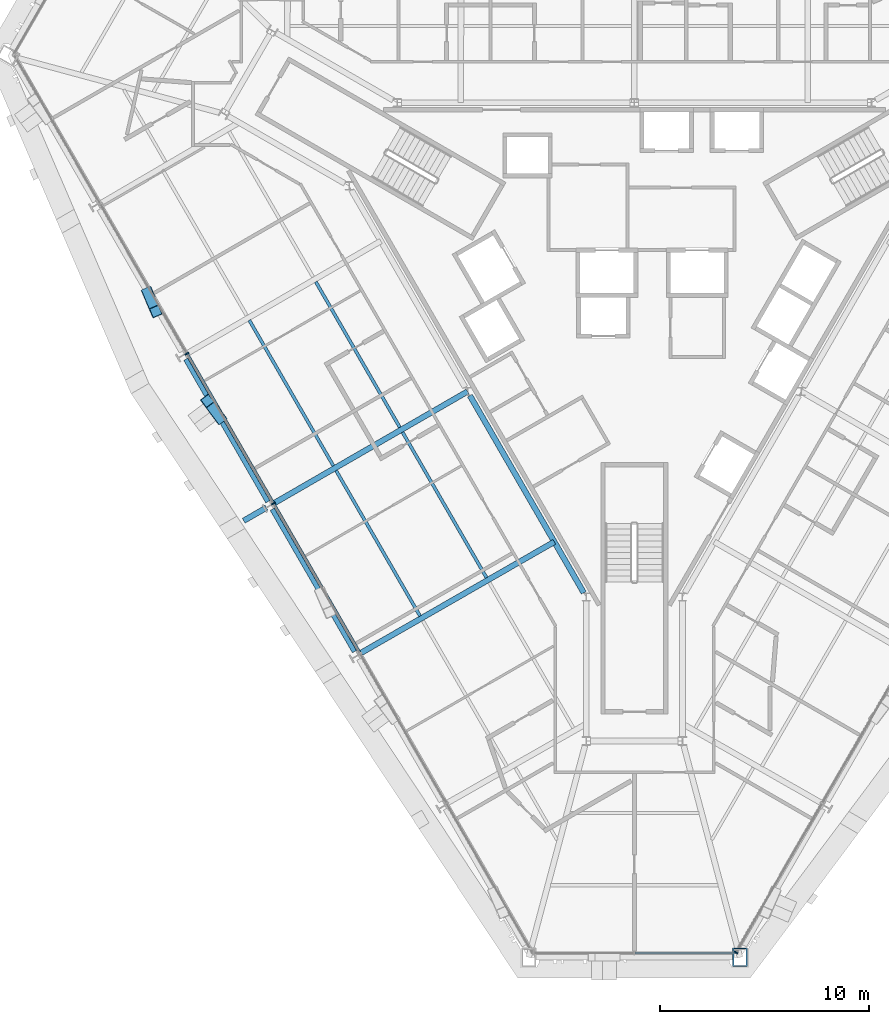
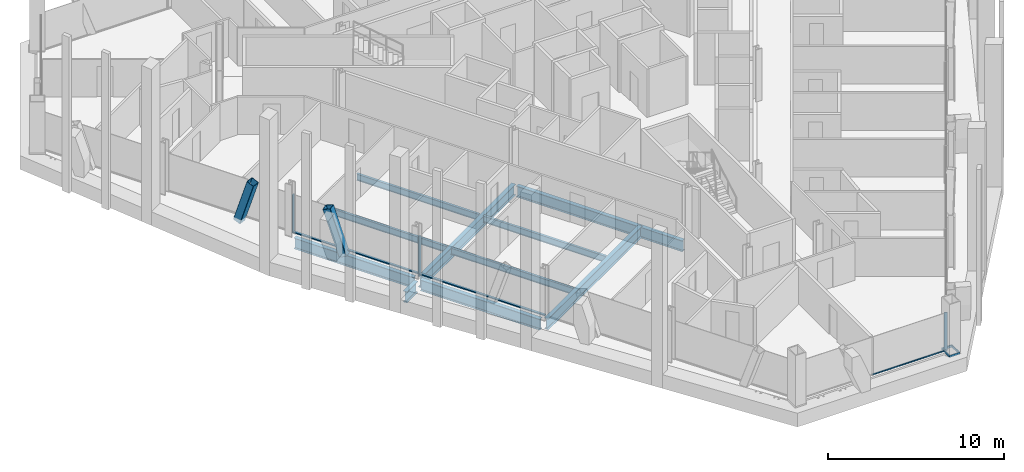
# One storey, part 4 of 17: 10 beams, 9 members, 3 elements without a shape of their own.
"""IFC4 building model written with IfcOpenShell, lengths in metres."""

from ifc_helpers import new_model, si_unit, direction, frame, origin, origin_2d, place, context, subcontext, project, spatial, rectangle, hollow_rectangle, i_section, extrude, material, material_profile, profile_set, type_object, element, aggregate, save


model = new_model("IFC4")

# Units and contexts
model_context = context("Model", 3, precision=1e-05, world=origin(), true_north=direction((0.0, 1.0)))
body_context = subcontext(model_context, "Body", "Model", "MODEL_VIEW")
ifc_project = project(units=[si_unit("LENGTHUNIT", "METRE"), si_unit("AREAUNIT", "SQUARE_METRE"), si_unit("VOLUMEUNIT", "CUBIC_METRE"), si_unit("PLANEANGLEUNIT", "RADIAN"), si_unit("MASSUNIT", "GRAM", prefix="KILO")], contexts=[model_context])

# Site, building, storey
site_placement = place(None, origin())
site = spatial("IfcSite", under=ifc_project, at=site_placement, CompositionType="ELEMENT")
building_placement = place(site_placement, origin())
building = spatial("IfcBuilding", under=site, at=building_placement, Name="Verrane Prism Tower", CompositionType="ELEMENT")
storey_placement = place(building_placement, frame((0.0, 0.0, 132.39990234375)))
storey = spatial("IfcBuildingStorey", under=building, at=storey_placement, Name="L32", CompositionType="ELEMENT", Elevation=132.39990234375)

# Beam
ifc_material_1 = material(Name="Steel A992", Category="steel")
ifc_material_profile_1 = material_profile(ifc_material_1, i_section(OverallWidth=0.2666015625, OverallDepth=0.7568359375, WebThickness=0.013916015625, FlangeThickness=0.019287109375, FilletRadius=0.0166015625, at=origin_2d()), Name="W30x108")
ifc_profile_set_1 = profile_set([ifc_material_profile_1], Name="Steel A992")
beam_type_1 = type_object("IfcBeamType", Name="Core ring girder W30x108", PredefinedType="BEAM", material=ifc_profile_set_1)
beam_1_placement = place(storey_placement, frame((-7.85498046875, -4.79931640625, -0.62841796875), z_axis=(0.500034555306, -0.86600545235, 0.0), x_axis=(0.86600545235, 0.500034555306, 0.0)))
element("IfcBeam", 1, at=beam_1_placement, inside=storey, type_object=beam_type_1, Name="Core ring girder L32", PredefinedType="BEAM", context=body_context, shape_type="SweptSolid", body=[
    extrude(i_section(OverallWidth=0.2666015625, OverallDepth=0.7568359375, WebThickness=0.013916015625, FlangeThickness=0.019287109375, FilletRadius=0.0166015625, at=origin_2d()), origin(), (0.0, 0.0, 1.0), 10.879150390625),
])

# Members
ifc_material_2 = material(Name="Steel A1085 Grade A", Category="steel")
ifc_material_profile_2 = material_profile(ifc_material_2, hollow_rectangle(XDim=0.508056640625, YDim=0.508056640625, WallThickness=0.025390625, InnerFilletRadius=0.0126953125, OuterFilletRadius=0.0380859375, at=origin_2d()), Name="HSS20x20x1")
ifc_profile_set_2 = profile_set([ifc_material_profile_2], Name="Steel A1085 Grade A")
member_type_1 = type_object("IfcMemberType", Name="Facade brace HSS20x20x1", PredefinedType="BRACE", material=ifc_profile_set_2)
member_1_placement = place(storey_placement, frame((-23.24267578125, 0.115478515625, -0.242431640625), z_axis=(0.120122253278, -0.282267982944, 0.951785390764), x_axis=(0.920144983431, 0.391577845986, 0.0)))
element("IfcMember", 2, at=member_1_placement, inside=storey, type_object=member_type_1, Name="Facade brace SW1 L32", PredefinedType="BRACE", context=body_context, shape_type="SweptSolid", body=[
    extrude(hollow_rectangle(XDim=0.508056640625, YDim=0.508056640625, WallThickness=0.025390625, InnerFilletRadius=0.0126953125, OuterFilletRadius=0.0380859375, at=origin_2d()), origin(), (0.0, 0.0, 1.0), 3.160400390625),
])
member_2_placement = place(storey_placement, frame((-19.795654296875, -5.857666015625, -0.242431640625), z_axis=(-0.189853936879, 0.254729035699, 0.948192280618), x_axis=(-0.801798621199, -0.597594319788, 0.0)))
element("IfcMember", 3, at=member_2_placement, inside=storey, type_object=member_type_1, Name="Facade brace SW2 L32", PredefinedType="BRACE", context=body_context, shape_type="SweptSolid", body=[
    extrude(hollow_rectangle(XDim=0.508056640625, YDim=0.508056640625, WallThickness=0.025390625, InnerFilletRadius=0.0126953125, OuterFilletRadius=0.0380859375, at=origin_2d()), origin(), (0.0, 0.0, 1.0), 3.17236328125),
])

# Beams
ifc_material_3 = material(Name="Steel A992", Category="steel")
ifc_material_profile_3 = material_profile(ifc_material_3, i_section(OverallWidth=0.15234375, OverallDepth=0.449462890625, WebThickness=0.007568359375, FlangeThickness=0.0107421875, FilletRadius=0.01025390625, at=origin_2d()), Name="W18x35")
ifc_profile_set_3 = profile_set([ifc_material_profile_3], Name="Steel A992")
beam_type_2 = type_object("IfcBeamType", Name="Floor beam W18x35", PredefinedType="BEAM", material=ifc_profile_set_3)
for number, where, z_axis, x_axis, name in (
    (4, (-11.20458984375, -6.314453125, -0.384765625), (-0.500007577232, 0.866021029023, 0.0), (-0.866021029023, -0.500007577232, 0.0), "Floor beam L32"),
    (5, (-14.380615234375, -8.1494140625, -0.384765625), (-0.500007577232, 0.866021029023, 0.0), (-0.866021029023, -0.500007577232, 0.0), "Floor beam L32"),
):
    element("IfcBeam", number, at=place(storey_placement, frame(where, z_axis=z_axis, x_axis=x_axis)), inside=storey, type_object=beam_type_2, Name=name, PredefinedType="BEAM", context=body_context, shape_type="SweptSolid", body=[
        extrude(i_section(OverallWidth=0.15234375, OverallDepth=0.449462890625, WebThickness=0.007568359375, FlangeThickness=0.0107421875, FilletRadius=0.01025390625, at=origin_2d()), origin(), (0.0, 0.0, 1.0), 8.02978515625),
    ])
beam_2_placement = place(storey_placement, frame((-7.061279296875, -13.498291015625, -0.384765625), z_axis=(-0.499996300355, 0.866027539765, 0.0), x_axis=(-0.866027539765, -0.499996300355, 0.0)))
element("IfcBeam", 6, at=beam_2_placement, inside=storey, type_object=beam_type_2, Name="Floor beam L32", PredefinedType="BEAM", context=body_context, shape_type="SweptSolid", body=[
    extrude(i_section(OverallWidth=0.15234375, OverallDepth=0.449462890625, WebThickness=0.007568359375, FlangeThickness=0.0107421875, FilletRadius=0.01025390625, at=origin_2d()), origin(), (0.0, 0.0, 1.0), 8.02587890625),
])
beam_3_placement = place(storey_placement, frame((-10.235595703125, -15.33251953125, -0.384765625), z_axis=(-0.500005942522, 0.86602197284, 0.0), x_axis=(-0.86602197284, -0.500005942522, 0.0)))
element("IfcBeam", 7, at=beam_3_placement, inside=storey, type_object=beam_type_2, Name="Floor beam L32", PredefinedType="BEAM", context=body_context, shape_type="SweptSolid", body=[
    extrude(i_section(OverallWidth=0.15234375, OverallDepth=0.449462890625, WebThickness=0.007568359375, FlangeThickness=0.0107421875, FilletRadius=0.01025390625, at=origin_2d()), origin(), (0.0, 0.0, 1.0), 8.0263671875),
])

# Member
ifc_material_4 = material(Name="Steel A572 Grade 50", Category="steel")
ifc_material_profile_4 = material_profile(ifc_material_4, hollow_rectangle(XDim=0.699951171875, YDim=0.89990234375, WallThickness=0.06494140625, at=origin_2d()), Name="BOX 900x700x65")
ifc_profile_set_4 = profile_set([ifc_material_profile_4], Name="Steel A572 Grade 50")
member_type_2 = type_object("IfcMemberType", Name="Kink node BOX 900x700x65", PredefinedType="COLLAR", material=ifc_profile_set_4)
member_3_placement = place(storey_placement, frame((5.045654296875, -31.6328125, -0.074951171875), z_axis=(0.0, 0.0, 1.0), x_axis=(-1.0, 0.0, 0.0)))
element("IfcMember", 8, at=member_3_placement, inside=storey, type_object=member_type_2, Name="Kink node MC3 L32", PredefinedType="COLLAR", context=body_context, shape_type="SweptSolid", body=[
    extrude(hollow_rectangle(XDim=0.699951171875, YDim=0.89990234375, WallThickness=0.06494140625, at=origin_2d()), origin(), (0.0, 0.0, 1.0), 0.150146484375),
])

# Curtain wall, members
ifc_material_5 = material(Name="Aluminium framed insulated glazing", Category="aluminium")
curtain_wall_type_1 = type_object("IfcCurtainWallType", Name="Curtain wall CW-A 8400 module", PredefinedType="NOTDEFINED", material=ifc_material_5)
curtain_wall_1_placement = place(storey_placement, origin())
curtain_wall_1 = element("IfcCurtainWall", 9, at=curtain_wall_1_placement, inside=storey, type_object=curtain_wall_type_1, Name="Glazed curtain wall south-west face L32", PredefinedType="NOTDEFINED")
ifc_material_6 = material(Name="Aluminium alloy 6063-T6", Category="aluminium")
ifc_material_profile_5 = material_profile(ifc_material_6, rectangle(XDim=0.199951171875, YDim=0.070068359375, at=origin_2d()), Name="Mullion 70x200 aluminium")
ifc_profile_set_5 = profile_set([ifc_material_profile_5], Name="Aluminium alloy 6063-T6")
member_type_3 = type_object("IfcMemberType", Name="Mullion 70x200 aluminium", PredefinedType="MULLION", material=ifc_profile_set_5)
member_4_placement = place(storey_placement, frame((-21.377197265625, -2.79541015625, 0.0), z_axis=(0.0, 0.0, 1.0), x_axis=(0.866025120648, 0.500000490406, 0.0)))
member_4 = element("IfcMember", 10, at=member_4_placement, type_object=member_type_3, Name="CW32.4 mullion 3", PredefinedType="MULLION", context=body_context, shape_type="SweptSolid", body=[
    extrude(rectangle(XDim=0.199951171875, YDim=0.070068359375, at=origin_2d()), origin(), (0.0, 0.0, 1.0), 2.613037109375),
])
member_5_placement = place(storey_placement, frame((-17.243408203125, -9.95556640625, 0.0), z_axis=(0.0, 0.0, 1.0), x_axis=(0.866025120648, 0.500000490406, 0.0)))
member_5 = element("IfcMember", 11, at=member_5_placement, type_object=member_type_3, Name="CW32.4 mullion 4", PredefinedType="MULLION", context=body_context, shape_type="SweptSolid", body=[
    extrude(rectangle(XDim=0.199951171875, YDim=0.070068359375, at=origin_2d()), origin(), (0.0, 0.0, 1.0), 2.613037109375),
])

# Curtain wall, member
curtain_wall_2_placement = place(storey_placement, origin())
curtain_wall_2 = element("IfcCurtainWall", 12, at=curtain_wall_2_placement, inside=storey, type_object=curtain_wall_type_1, Name="Glazed curtain wall south-east face L32", PredefinedType="NOTDEFINED")
member_6_placement = place(storey_placement, frame((4.859375, -31.4052734375, 0.0), z_axis=(0.0, 0.0, 1.0), x_axis=(-0.866025120648, 0.500000490406, 0.0)))
member_6 = element("IfcMember", 13, at=member_6_placement, type_object=member_type_3, Name="CW32.6 mullion 1", PredefinedType="MULLION", context=body_context, shape_type="SweptSolid", body=[
    extrude(rectangle(XDim=0.199951171875, YDim=0.070068359375, at=origin_2d()), origin(), (0.0, 0.0, 1.0), 2.613037109375),
])
aggregate(curtain_wall_2, [member_6])

# Beams
ifc_material_7 = material(Name="Steel A992", Category="steel")
ifc_material_profile_6 = material_profile(ifc_material_7, i_section(OverallWidth=0.2666015625, OverallDepth=0.76708984375, WebThickness=0.014892578125, FlangeThickness=0.023681640625, FilletRadius=0.0166015625, at=origin_2d()), Name="W30x124")
ifc_profile_set_6 = profile_set([ifc_material_profile_6], Name="Steel A992")
beam_type_3 = type_object("IfcBeamType", Name="Radial girder W30x124", PredefinedType="BEAM", material=ifc_profile_set_6)
beam_4_placement = place(storey_placement, frame((-17.189697265625, -9.92529296875, -0.603515625), z_axis=(0.866080204148, 0.499905070972, 0.0), x_axis=(-0.499905070972, 0.866080204148, 0.0)))
element("IfcBeam", 14, at=beam_4_placement, inside=storey, type_object=beam_type_3, Name="Radial girder L32", PredefinedType="BEAM", context=body_context, shape_type="SweptSolid", body=[
    extrude(i_section(OverallWidth=0.2666015625, OverallDepth=0.76708984375, WebThickness=0.014892578125, FlangeThickness=0.023681640625, FilletRadius=0.0166015625, at=origin_2d()), origin(), (0.0, 0.0, 1.0), 10.64697265625),
])
beam_5_placement = place(storey_placement, frame((-13.051513671875, -17.087158203125, -0.603515625), z_axis=(0.867093316993, 0.498145741351, 0.0), x_axis=(-0.498145741351, 0.867093316993, 0.0)))
element("IfcBeam", 15, at=beam_5_placement, inside=storey, type_object=beam_type_3, Name="Radial girder L32", PredefinedType="BEAM", context=body_context, shape_type="SweptSolid", body=[
    extrude(i_section(OverallWidth=0.2666015625, OverallDepth=0.76708984375, WebThickness=0.014892578125, FlangeThickness=0.023681640625, FilletRadius=0.0166015625, at=origin_2d()), origin(), (0.0, 0.0, 1.0), 10.64453125),
])
beam_6_placement = place(storey_placement, frame((-17.57958984375, -10.151611328125, -0.603515625), z_axis=(-0.866013394656, -0.500020799843, 0.0), x_axis=(0.500020799843, -0.866013394656, 0.0)))
element("IfcBeam", 16, at=beam_6_placement, inside=storey, type_object=beam_type_3, Name="Cantilever girder L32", PredefinedType="BEAM", context=body_context, shape_type="SweptSolid", body=[
    extrude(i_section(OverallWidth=0.2666015625, OverallDepth=0.76708984375, WebThickness=0.014892578125, FlangeThickness=0.023681640625, FilletRadius=0.0166015625, at=origin_2d()), origin(), (0.0, 0.0, 1.0), 1.25146484375),
])
ifc_material_8 = material(Name="Steel A992", Category="steel")
ifc_material_profile_7 = material_profile(ifc_material_8, i_section(OverallWidth=0.2666015625, OverallDepth=0.7568359375, WebThickness=0.013916015625, FlangeThickness=0.019287109375, FilletRadius=0.0166015625, at=origin_2d()), Name="W30x108")
ifc_profile_set_7 = profile_set([ifc_material_profile_7], Name="Steel A992")
beam_type_4 = type_object("IfcBeamType", Name="Spandrel beam W30x108", PredefinedType="SPANDREL", material=ifc_profile_set_7)
beam_7_placement = place(storey_placement, frame((-21.411865234375, -3.052490234375, -0.538330078125), z_axis=(0.499219118747, -0.866475776625, 0.0), x_axis=(0.866475776625, 0.499219118747, 0.0)))
element("IfcBeam", 17, at=beam_7_placement, inside=storey, type_object=beam_type_4, Name="Spandrel beam L32", PredefinedType="SPANDREL", context=body_context, shape_type="SweptSolid", body=[
    extrude(i_section(OverallWidth=0.2666015625, OverallDepth=0.7568359375, WebThickness=0.013916015625, FlangeThickness=0.019287109375, FilletRadius=0.0166015625, at=origin_2d()), origin(), (0.0, 0.0, 1.0), 7.853515625),
])
beam_8_placement = place(storey_placement, frame((-17.28173828125, -10.220458984375, -0.538330078125), z_axis=(0.500328882623, -0.865835440031, 0.0), x_axis=(0.865835440031, 0.500328882623, 0.0)))
element("IfcBeam", 18, at=beam_8_placement, inside=storey, type_object=beam_type_4, Name="Spandrel beam L32", PredefinedType="SPANDREL", context=body_context, shape_type="SweptSolid", body=[
    extrude(i_section(OverallWidth=0.2666015625, OverallDepth=0.7568359375, WebThickness=0.013916015625, FlangeThickness=0.019287109375, FilletRadius=0.0166015625, at=origin_2d()), origin(), (0.0, 0.0, 1.0), 7.851806640625),
])

# Curtain wall, member
ifc_material_9 = material(Name="Aluminium framed insulated glazing", Category="aluminium")
curtain_wall_type_2 = type_object("IfcCurtainWallType", Name="Curtain wall CW-C 4200 module", PredefinedType="NOTDEFINED", material=ifc_material_9)
curtain_wall_3_placement = place(storey_placement, origin())
curtain_wall_3 = element("IfcCurtainWall", 19, at=curtain_wall_3_placement, inside=storey, type_object=curtain_wall_type_2, Name="Glazed curtain wall south corner L32", PredefinedType="NOTDEFINED")
ifc_material_10 = material(Name="Aluminium alloy 6063-T6", Category="aluminium")
ifc_material_profile_8 = material_profile(ifc_material_10, rectangle(XDim=0.10009765625, YDim=0.050048828125, at=origin_2d()), Name="Transom 50x100 aluminium")
ifc_profile_set_8 = profile_set([ifc_material_profile_8], Name="Aluminium alloy 6063-T6")
member_type_4 = type_object("IfcMemberType", Name="Transom 50x100 aluminium", PredefinedType="USERDEFINED", material=ifc_profile_set_8)
member_7_placement = place(storey_placement, frame((0.02490234375, -31.435546875, 0.025146484375), z_axis=(1.0, 0.0, 0.0), x_axis=(0.0, 1.0, 0.0)))
member_7 = element("IfcMember", 20, at=member_7_placement, type_object=member_type_4, Name="CW32.5 transom 2", ObjectType="TRANSOM", PredefinedType="USERDEFINED", context=body_context, shape_type="SweptSolid", body=[
    extrude(rectangle(XDim=0.10009765625, YDim=0.050048828125, at=origin_2d()), origin(), (0.0, 0.0, 1.0), 4.81689453125),
])
aggregate(curtain_wall_3, [member_7])

# Member
ifc_material_11 = material(Name="Aluminium alloy 6063-T6", Category="aluminium")
ifc_material_profile_9 = material_profile(ifc_material_11, rectangle(XDim=0.14990234375, YDim=0.070068359375, at=origin_2d()), Name="Transom 70x150 aluminium")
ifc_profile_set_9 = profile_set([ifc_material_profile_9], Name="Aluminium alloy 6063-T6")
member_type_5 = type_object("IfcMemberType", Name="Transom 70x150 aluminium", PredefinedType="USERDEFINED", material=ifc_profile_set_9)
member_8_placement = place(storey_placement, frame((-21.359619140625, -2.825927734375, 0.03515625), z_axis=(0.499982834708, -0.866035313943, 0.0), x_axis=(0.866035313943, 0.499982834708, 0.0)))
member_8 = element("IfcMember", 21, at=member_8_placement, type_object=member_type_5, Name="CW32.4 transom 3", ObjectType="TRANSOM", PredefinedType="USERDEFINED", context=body_context, shape_type="SweptSolid", body=[
    extrude(rectangle(XDim=0.14990234375, YDim=0.070068359375, at=origin_2d()), origin(), (0.0, 0.0, 1.0), 8.197509765625),
])

member_9_placement = place(storey_placement, frame((-17.225830078125, -9.98583984375, 0.03515625), z_axis=(0.500005171338, -0.866022418091, 0.0), x_axis=(0.866022418091, 0.500005171338, 0.0)))
member_9 = element("IfcMember", 22, at=member_9_placement, type_object=member_type_5, Name="CW32.4 transom 4", ObjectType="TRANSOM", PredefinedType="USERDEFINED", context=body_context, shape_type="SweptSolid", body=[
    extrude(rectangle(XDim=0.14990234375, YDim=0.070068359375, at=origin_2d()), origin(), (0.0, 0.0, 1.0), 8.19775390625),
])

aggregate(curtain_wall_1, [member_4, member_5, member_8, member_9])

save(model, "model.ifc")
